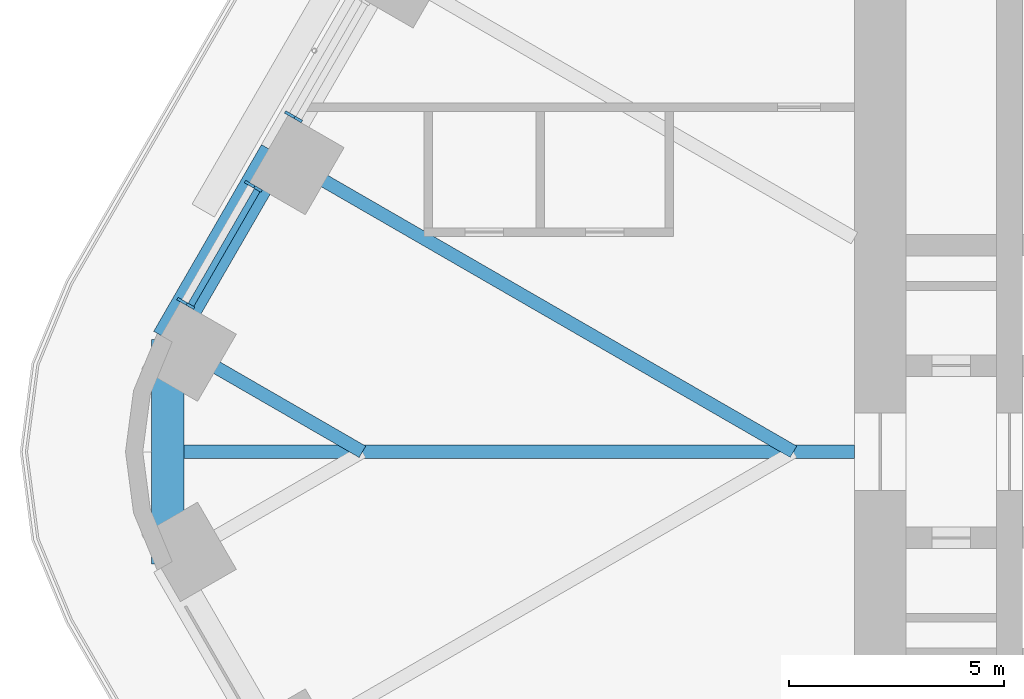
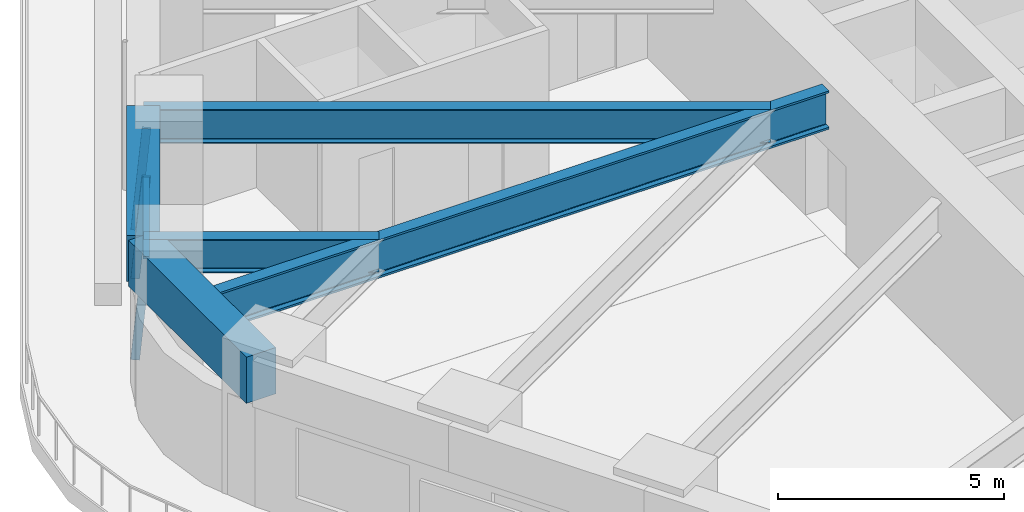
# One storey, part 6 of 24: 5 beams, 4 members, 2 elements without a shape of their own.
"""IFC4 building model written with IfcOpenShell, lengths in metres."""

from ifc_helpers import new_model, si_unit, direction, frame, origin, origin_2d, place, context, subcontext, project, spatial, rectangle, i_section, extrude, material, material_profile, profile_set, type_object, element, aggregate, save


model = new_model("IFC4")

# Units and contexts
model_context = context("Model", 3, precision=1e-05, world=origin(), true_north=direction((0.0, 1.0)))
body_context = subcontext(model_context, "Body", "Model", "MODEL_VIEW")
ifc_project = project(units=[si_unit("LENGTHUNIT", "METRE"), si_unit("AREAUNIT", "SQUARE_METRE"), si_unit("VOLUMEUNIT", "CUBIC_METRE"), si_unit("PLANEANGLEUNIT", "RADIAN"), si_unit("MASSUNIT", "GRAM", prefix="KILO")], contexts=[model_context])

# Site, building, storey
site_placement = place(None, origin())
site = spatial("IfcSite", under=ifc_project, at=site_placement, CompositionType="ELEMENT")
building_placement = place(site_placement, origin())
building = spatial("IfcBuilding", under=site, at=building_placement, Name="Tarfa Lantern Tower", CompositionType="ELEMENT")
storey_placement = place(building_placement, frame((0.0, 0.0, 136.300048828125)))
storey = spatial("IfcBuildingStorey", under=building, at=storey_placement, Name="L30", CompositionType="ELEMENT", Elevation=136.300048828125)

# Curtain wall, member
ifc_material_1 = material(Name="Aluminium framed curtain wall", Category="aluminium")
curtain_wall_type = type_object("IfcCurtainWallType", Name="CW2 CANTED GLAZING MID ZONE 2750", PredefinedType="USERDEFINED", material=ifc_material_1)
curtain_wall_1_placement = place(storey_placement, origin())
curtain_wall_1 = element("IfcCurtainWall", 1, at=curtain_wall_1_placement, inside=storey, type_object=curtain_wall_type, Name="CW2 NWB L30", ObjectType="CURTAIN WALL", PredefinedType="USERDEFINED")
ifc_material_2 = material(Name="Aluminium mullion", Category="aluminium")
ifc_material_profile_1 = material_profile(ifc_material_2, rectangle(XDim=0.06494140625, YDim=0.199951171875, at=origin_2d()), Name="AL MULLION 65x200")
ifc_profile_set_1 = profile_set([ifc_material_profile_1], Name="Aluminium mullion")
member_type_1 = type_object("IfcMemberType", Name="CWM1 MULLION 65x200", PredefinedType="MULLION", material=ifc_profile_set_1)
member_1_placement = place(storey_placement, frame((-31.730712890625, 7.8408203125, 0.0), z_axis=(0.078422950161, -0.045267813396, 0.995891894715), x_axis=(0.499919672301, 0.866071776036, 0.0)))
member_1 = element("IfcMember", 2, at=member_1_placement, type_object=member_type_1, Name="CW2 mullion 2", PredefinedType="MULLION", context=body_context, shape_type="SweptSolid", body=[
    extrude(rectangle(XDim=0.06494140625, YDim=0.199951171875, at=origin_2d()), origin(), (0.0, 0.0, 1.0), 2.76123046875),
])
aggregate(curtain_wall_1, [member_1])

# Curtain wall, members
curtain_wall_2_placement = place(storey_placement, origin())
curtain_wall_2 = element("IfcCurtainWall", 3, at=curtain_wall_2_placement, inside=storey, type_object=curtain_wall_type, Name="CW2 NWB L30", ObjectType="CURTAIN WALL", PredefinedType="USERDEFINED")
member_2_placement = place(storey_placement, frame((-32.6630859375, 6.225830078125, 0.0), z_axis=(0.078422950161, -0.045267813396, 0.995891894715), x_axis=(0.499919672301, 0.866071776036, 0.0)))
member_2 = element("IfcMember", 4, at=member_2_placement, type_object=member_type_1, Name="CW2 mullion 1", PredefinedType="MULLION", context=body_context, shape_type="SweptSolid", body=[
    extrude(rectangle(XDim=0.06494140625, YDim=0.199951171875, at=origin_2d()), origin(), (0.0, 0.0, 1.0), 2.76123046875),
])
member_3_placement = place(storey_placement, frame((-34.232421875, 3.507568359375, 0.0), z_axis=(0.078335079308, -0.045268127094, 0.995898796073), x_axis=(0.500342721131, 0.865827443207, 0.0)))
member_3 = element("IfcMember", 5, at=member_3_placement, type_object=member_type_1, Name="CW2 mullion 2", PredefinedType="MULLION", context=body_context, shape_type="SweptSolid", body=[
    extrude(rectangle(XDim=0.06494140625, YDim=0.199951171875, at=origin_2d()), origin(), (0.0, 0.0, 1.0), 2.76123046875),
])
ifc_material_3 = material(Name="Aluminium transom", Category="aluminium")
ifc_material_profile_2 = material_profile(ifc_material_3, rectangle(XDim=0.14990234375, YDim=0.06494140625, at=origin_2d()), Name="AL TRANSOM 150x65")
ifc_profile_set_2 = profile_set([ifc_material_profile_2], Name="Aluminium transom")
member_type_2 = type_object("IfcMemberType", Name="CWT1 TRANSOM 150x65", PredefinedType="USERDEFINED", material=ifc_profile_set_2)
member_4_placement = place(storey_placement, frame((-32.46533203125, 6.073974609375, 2.717529296875), z_axis=(-0.500008936691, -0.866020244122, 0.0), x_axis=(0.866020244122, -0.500008936691, 0.0)))
member_4 = element("IfcMember", 6, at=member_4_placement, type_object=member_type_2, Name="CW2 transom 1.2", ObjectType="TRANSOM", PredefinedType="USERDEFINED", context=body_context, shape_type="SweptSolid", body=[
    extrude(rectangle(XDim=0.14990234375, YDim=0.06494140625, at=origin_2d()), origin(), (0.0, 0.0, 1.0), 3.07373046875),
])
aggregate(curtain_wall_2, [member_2, member_3, member_4])

# Beams
ifc_material_4 = material(Name="Concrete C80/95", Category="concrete")
ifc_material_profile_3 = material_profile(ifc_material_4, rectangle(XDim=0.75, YDim=1.25, at=origin_2d()), Name="RC 750x1250")
ifc_profile_set_3 = profile_set([ifc_material_profile_3], Name="Concrete C80/95")
beam_type_1 = type_object("IfcBeamType", Name="EB2 RC 750x1250", PredefinedType="SPANDREL", material=ifc_profile_set_3)
beam_1_placement = place(storey_placement, frame((-32.041015625, 6.943359375, 3.375), z_axis=(-0.500022324899, -0.866012514114, 0.0), x_axis=(0.866012514114, -0.500022324899, 0.0)))
element("IfcBeam", 7, at=beam_1_placement, inside=storey, type_object=beam_type_1, Name="Edge beam NW5", PredefinedType="SPANDREL", context=body_context, shape_type="SweptSolid", body=[
    extrude(rectangle(XDim=0.75, YDim=1.25, at=origin_2d()), origin(), (0.0, 0.0, 1.0), 5.003662109375),
])
beam_2_placement = place(storey_placement, frame((-34.54296875, 2.610107421875, 3.375), z_axis=(0.0, -1.0, 0.0), x_axis=(1.0, 0.0, 0.0)))
element("IfcBeam", 8, at=beam_2_placement, inside=storey, type_object=beam_type_1, Name="Edge beam NW6", PredefinedType="SPANDREL", context=body_context, shape_type="SweptSolid", body=[
    extrude(rectangle(XDim=0.75, YDim=1.25, at=origin_2d()), origin(), (0.0, 0.0, 1.0), 5.22021484375),
])
ifc_material_5 = material(Name="Steel S460M", Category="steel")
ifc_material_profile_4 = material_profile(ifc_material_5, i_section(OverallWidth=0.30859375, OverallDepth=1.036376953125, WebThickness=0.030029296875, FlangeThickness=0.05419921875, FilletRadius=0.030029296875, at=origin_2d()), Name="UB1016x305x487")
ifc_profile_set_4 = profile_set([ifc_material_profile_4], Name="Steel S460M")
beam_type_2 = type_object("IfcBeamType", Name="UB1016x305x487", PredefinedType="BEAM", material=ifc_profile_set_4)
beam_3_placement = place(storey_placement, frame((-18.60009765625, 0.0, 3.481689453125), z_axis=(-1.0, 0.0, 0.0), x_axis=(0.0, -1.0, 0.0)))
element("IfcBeam", 9, at=beam_3_placement, inside=storey, type_object=beam_type_2, Name="Hip girder W", PredefinedType="BEAM", context=body_context, shape_type="SweptSolid", body=[
    extrude(i_section(OverallWidth=0.30859375, OverallDepth=1.036376953125, WebThickness=0.030029296875, FlangeThickness=0.05419921875, FilletRadius=0.030029296875, at=origin_2d()), origin(), (0.0, 0.0, 1.0), 15.94287109375),
])
ifc_material_profile_5 = material_profile(ifc_material_5, i_section(OverallWidth=0.305419921875, OverallDepth=0.91845703125, WebThickness=0.017333984375, FlangeThickness=0.02783203125, FilletRadius=0.01904296875, at=origin_2d()), Name="UB914x305x253")
ifc_profile_set_5 = profile_set([ifc_material_profile_5], Name="Steel S460M")
beam_type_3 = type_object("IfcBeamType", Name="UB914x305x253", PredefinedType="BEAM", material=ifc_profile_set_5)
beam_4_placement = place(storey_placement, frame((-32.041015625, 6.943359375, 3.540771484375), z_axis=(0.866023096411, -0.500003996466, 0.0), x_axis=(0.500003996466, 0.866023096411, 0.0)))
element("IfcBeam", 10, at=beam_4_placement, inside=storey, type_object=beam_type_3, Name="Floor beam NW5", PredefinedType="BEAM", context=body_context, shape_type="SweptSolid", body=[
    extrude(i_section(OverallWidth=0.305419921875, OverallDepth=0.91845703125, WebThickness=0.017333984375, FlangeThickness=0.02783203125, FilletRadius=0.01904296875, at=origin_2d()), origin(), (0.0, 0.0, 1.0), 13.88671875),
])
beam_5_placement = place(storey_placement, frame((-34.54296875, 2.610107421875, 3.540771484375), z_axis=(0.866021250859, -0.500007193008, 0.0), x_axis=(0.500007193008, 0.866021250859, 0.0)))
element("IfcBeam", 11, at=beam_5_placement, inside=storey, type_object=beam_type_3, Name="Floor beam NW6", PredefinedType="BEAM", context=body_context, shape_type="SweptSolid", body=[
    extrude(i_section(OverallWidth=0.305419921875, OverallDepth=0.91845703125, WebThickness=0.017333984375, FlangeThickness=0.02783203125, FilletRadius=0.01904296875, at=origin_2d()), origin(), (0.0, 0.0, 1.0), 5.22021484375),
])

save(model, "model.ifc")
